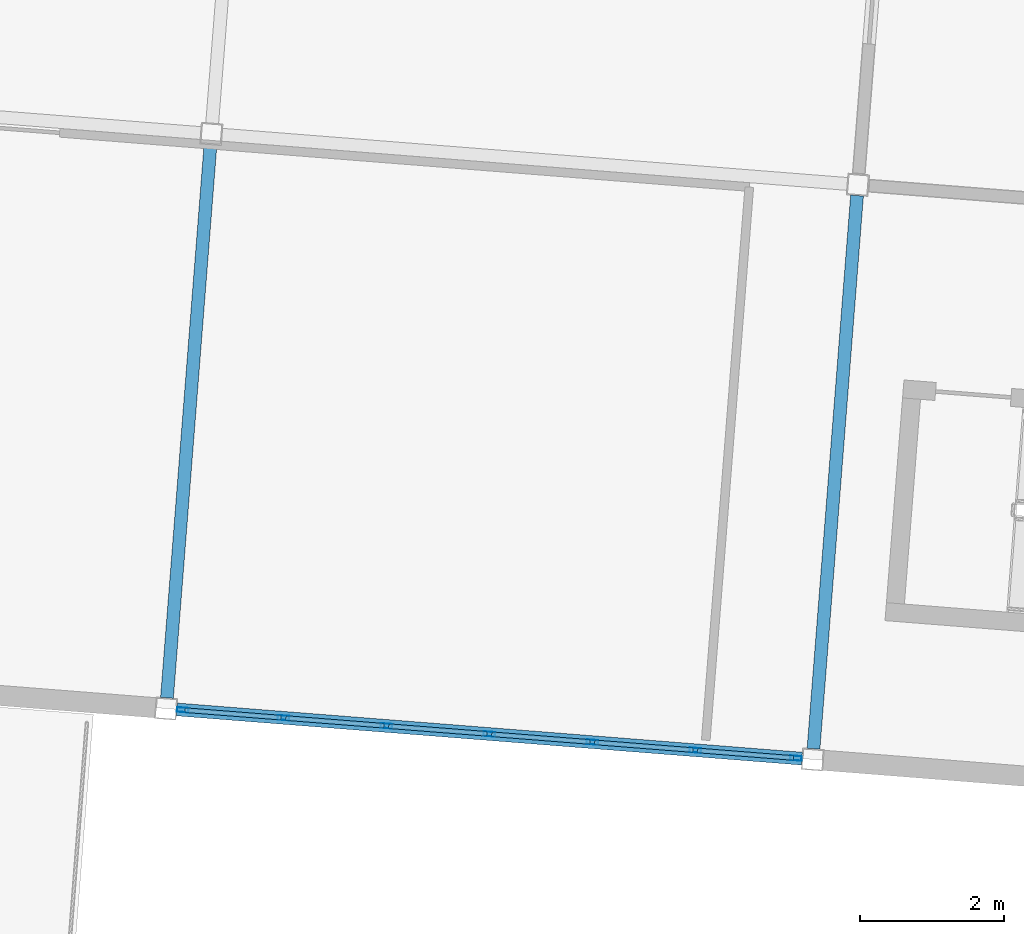
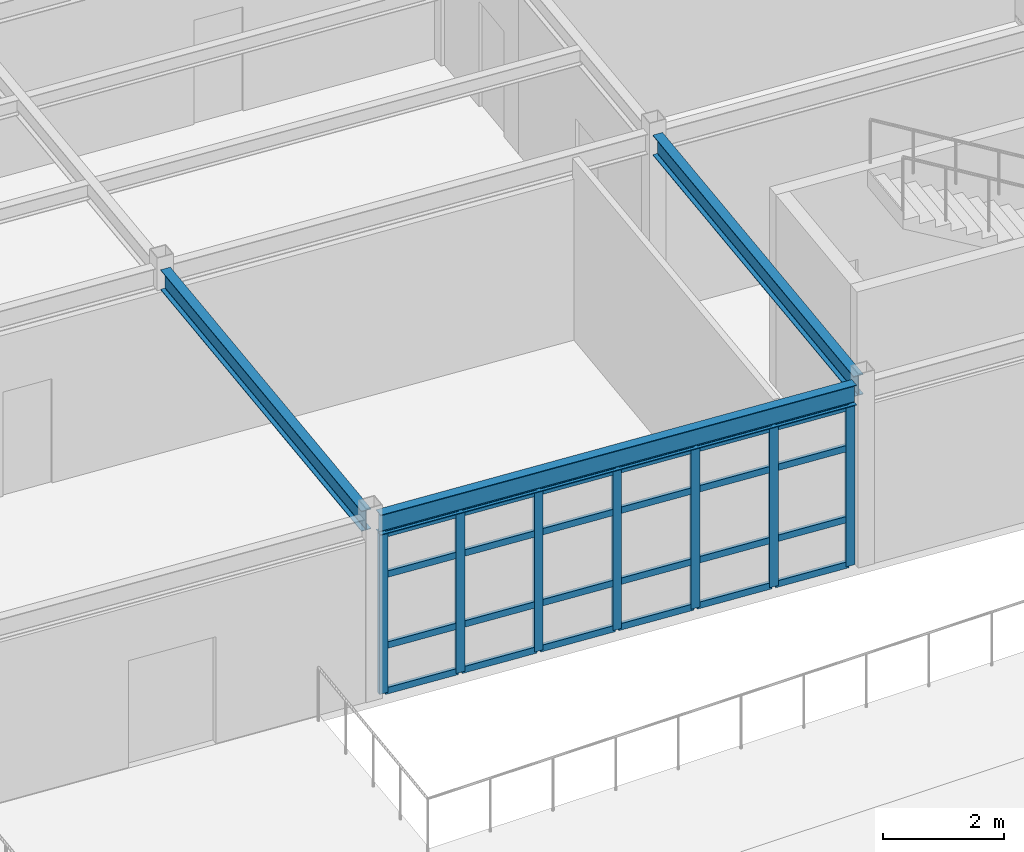
# One storey, part 45 of 150: 31 members, 3 beams, 1 element without a shape of its own.
"""IFC4 building model written with IfcOpenShell, lengths in metres."""

from ifc_helpers import new_model, si_unit, direction, frame, origin, origin_2d, place, context, subcontext, project, spatial, hollow_rectangle, i_section, extrude, material, material_profile, profile_set, type_object, element, aggregate, save


model = new_model("IFC4")

# Units and contexts
model_context = context("Model", 3, precision=1e-05, world=origin(), true_north=direction((0.0, 1.0)))
body_context = subcontext(model_context, "Body", "Model", "MODEL_VIEW")
ifc_project = project(units=[si_unit("LENGTHUNIT", "METRE"), si_unit("AREAUNIT", "SQUARE_METRE"), si_unit("VOLUMEUNIT", "CUBIC_METRE"), si_unit("PLANEANGLEUNIT", "RADIAN"), si_unit("MASSUNIT", "GRAM", prefix="KILO")], contexts=[model_context])

# Site, building, storey
site_placement = place(None, origin())
site = spatial("IfcSite", under=ifc_project, at=site_placement, CompositionType="ELEMENT")
building_placement = place(site_placement, origin())
building = spatial("IfcBuilding", under=site, at=building_placement, Name="Kestramere Prow Commons", CompositionType="ELEMENT")
storey_placement = place(building_placement, frame((0.0, 0.0, 4.5)))
storey = spatial("IfcBuildingStorey", under=building, at=storey_placement, Name="L01", CompositionType="ELEMENT", Elevation=4.5)

# Beams
ifc_material_1 = material(Name="Steel S355JR", Category="steel")
ifc_material_profile_1 = material_profile(ifc_material_1, i_section(OverallWidth=0.177978515625, OverallDepth=0.406494140625, WebThickness=0.0078125, FlangeThickness=0.0126953125, FilletRadius=0.01025390625, at=origin_2d()), Name="UB 406x178x60")
ifc_profile_set_1 = profile_set([ifc_material_profile_1], Name="Steel S355JR")
beam_type_1 = type_object("IfcBeamType", Name="BM-NR-01 UB 406x178x60", PredefinedType="BEAM", material=ifc_profile_set_1)
for number, where, z_axis, x_axis, name in (
    (1, (86.556396484375, 84.2373046875, 3.44677734375), (0.078442108986, 0.996918670473, 0.0), (-0.996918670473, 0.078442108986, 0.0), "Nursery L01 Beam V 3-1"),
    (2, (95.528564453125, 83.53125, 3.44677734375), (0.078442108986, 0.996918670473, 0.0), (-0.996918670473, 0.078442108986, 0.0), "Nursery L01 Beam V 4-1"),
):
    element("IfcBeam", number, at=place(storey_placement, frame(where, z_axis=z_axis, x_axis=x_axis)), inside=storey, type_object=beam_type_1, Name=name, PredefinedType="BEAM", context=body_context, shape_type="SweptSolid", body=[
        extrude(i_section(OverallWidth=0.177978515625, OverallDepth=0.406494140625, WebThickness=0.0078125, FlangeThickness=0.0126953125, FilletRadius=0.01025390625, at=origin_2d()), origin(), (0.0, 0.0, 1.0), 7.699951171875),
    ])
ifc_material_profile_2 = material_profile(ifc_material_1, i_section(OverallWidth=0.177978515625, OverallDepth=0.406494140625, WebThickness=0.0078125, FlangeThickness=0.0126953125, FilletRadius=0.01025390625, at=origin_2d()), Name="UB 406x178x60")
ifc_profile_set_2 = profile_set([ifc_material_profile_2], Name="Steel S355JR")
beam_type_2 = type_object("IfcBeamType", Name="BM-NR-01 UB 406x178x60 (EX)", PredefinedType="BEAM", material=ifc_profile_set_2)
beam_placement = place(storey_placement, frame((86.694091796875, 84.075927734375, 3.44677734375), z_axis=(0.996917066238, -0.078462494502, 0.0), x_axis=(0.078462494502, 0.996917066238, 0.0)))
element("IfcBeam", 3, at=beam_placement, inside=storey, type_object=beam_type_2, Name="Nursery L01 Beam U 1-3", PredefinedType="BEAM", context=body_context, shape_type="SweptSolid", body=[
    extrude(i_section(OverallWidth=0.177978515625, OverallDepth=0.406494140625, WebThickness=0.0078125, FlangeThickness=0.0126953125, FilletRadius=0.01025390625, at=origin_2d()), origin(), (0.0, 0.0, 1.0), 8.699951171875),
])

# Curtain wall, members
ifc_material_2 = material(Name="Anodised Aluminium and Low-E Glass", Category="aluminium")
curtain_wall_type = type_object("IfcCurtainWallType", Name="CW-15 Glazed Curtain Wall 8600x3230", PredefinedType="USERDEFINED", material=ifc_material_2)
curtain_wall_placement = place(storey_placement, origin())
curtain_wall = element("IfcCurtainWall", 4, at=curtain_wall_placement, inside=storey, type_object=curtain_wall_type, Name="Nursery L01 South Classroom Glazing 3", ObjectType="GLAZED CURTAIN WALL", PredefinedType="USERDEFINED")
ifc_material_3 = material(Name="Anodised Aluminium 6063-T6", Category="aluminium")
ifc_material_profile_3 = material_profile(ifc_material_3, hollow_rectangle(XDim=0.06494140625, YDim=0.159912109375, WallThickness=0.00390625, at=origin_2d()), Name="ALU-MUL 65x160")
ifc_profile_set_3 = profile_set([ifc_material_profile_3], Name="Anodised Aluminium 6063-T6")
member_type_1 = type_object("IfcMemberType", Name="CW-MUL-65x160", PredefinedType="MULLION", material=ifc_profile_set_3)
member_1_placement = place(storey_placement, frame((95.284912109375, 83.39990234375, 0.0), z_axis=(0.0, 0.0, 1.0), x_axis=(-0.078459061468, -0.996917336429, 0.0)))
member_1 = element("IfcMember", 5, at=member_1_placement, type_object=member_type_1, Name="CW-15 mullion 1", PredefinedType="MULLION", context=body_context, shape_type="SweptSolid", body=[
    extrude(hollow_rectangle(XDim=0.06494140625, YDim=0.159912109375, WallThickness=0.00390625, at=origin_2d()), origin(), (0.0, 0.0, 1.0), 3.22998046875),
])
member_2_placement = place(storey_placement, frame((93.888427734375, 83.509765625, 0.0), z_axis=(0.0, 0.0, 1.0), x_axis=(-0.078459061468, -0.996917336429, 0.0)))
member_2 = element("IfcMember", 6, at=member_2_placement, type_object=member_type_1, Name="CW-15 mullion 2", PredefinedType="MULLION", context=body_context, shape_type="SweptSolid", body=[
    extrude(hollow_rectangle(XDim=0.06494140625, YDim=0.159912109375, WallThickness=0.00390625, at=origin_2d()), origin(), (0.0, 0.0, 1.0), 3.22998046875),
])
member_3_placement = place(storey_placement, frame((92.45947265625, 83.622314453125, 0.0), z_axis=(0.0, 0.0, 1.0), x_axis=(-0.078459061468, -0.996917336429, 0.0)))
member_3 = element("IfcMember", 7, at=member_3_placement, type_object=member_type_1, Name="CW-15 mullion 3", PredefinedType="MULLION", context=body_context, shape_type="SweptSolid", body=[
    extrude(hollow_rectangle(XDim=0.06494140625, YDim=0.159912109375, WallThickness=0.00390625, at=origin_2d()), origin(), (0.0, 0.0, 1.0), 3.22998046875),
])
member_4_placement = place(storey_placement, frame((91.03076171875, 83.734619140625, 0.0), z_axis=(0.0, 0.0, 1.0), x_axis=(-0.078459061468, -0.996917336429, 0.0)))
member_4 = element("IfcMember", 8, at=member_4_placement, type_object=member_type_1, Name="CW-15 mullion 4", PredefinedType="MULLION", context=body_context, shape_type="SweptSolid", body=[
    extrude(hollow_rectangle(XDim=0.06494140625, YDim=0.159912109375, WallThickness=0.00390625, at=origin_2d()), origin(), (0.0, 0.0, 1.0), 3.22998046875),
])
member_5_placement = place(storey_placement, frame((89.601806640625, 83.84716796875, 0.0), z_axis=(0.0, 0.0, 1.0), x_axis=(-0.078459061468, -0.996917336429, 0.0)))
member_5 = element("IfcMember", 9, at=member_5_placement, type_object=member_type_1, Name="CW-15 mullion 5", PredefinedType="MULLION", context=body_context, shape_type="SweptSolid", body=[
    extrude(hollow_rectangle(XDim=0.06494140625, YDim=0.159912109375, WallThickness=0.00390625, at=origin_2d()), origin(), (0.0, 0.0, 1.0), 3.22998046875),
])
member_6_placement = place(storey_placement, frame((88.1728515625, 83.95947265625, 0.0), z_axis=(0.0, 0.0, 1.0), x_axis=(-0.078459061468, -0.996917336429, 0.0)))
member_6 = element("IfcMember", 10, at=member_6_placement, type_object=member_type_1, Name="CW-15 mullion 6", PredefinedType="MULLION", context=body_context, shape_type="SweptSolid", body=[
    extrude(hollow_rectangle(XDim=0.06494140625, YDim=0.159912109375, WallThickness=0.00390625, at=origin_2d()), origin(), (0.0, 0.0, 1.0), 3.22998046875),
])
member_7_placement = place(storey_placement, frame((86.7763671875, 84.069580078125, 0.0), z_axis=(0.0, 0.0, 1.0), x_axis=(-0.078459061468, -0.996917336429, 0.0)))
member_7 = element("IfcMember", 11, at=member_7_placement, type_object=member_type_1, Name="CW-15 mullion 7", PredefinedType="MULLION", context=body_context, shape_type="SweptSolid", body=[
    extrude(hollow_rectangle(XDim=0.06494140625, YDim=0.159912109375, WallThickness=0.00390625, at=origin_2d()), origin(), (0.0, 0.0, 1.0), 3.22998046875),
])
ifc_material_profile_4 = material_profile(ifc_material_3, hollow_rectangle(XDim=0.06494140625, YDim=0.1298828125, WallThickness=0.00390625, at=origin_2d()), Name="ALU-TRN 65x130")
ifc_profile_set_4 = profile_set([ifc_material_profile_4], Name="Anodised Aluminium 6063-T6")
member_type_2 = type_object("IfcMemberType", Name="CW-TRN-65x130", PredefinedType="USERDEFINED", material=ifc_profile_set_4)
member_8_placement = place(storey_placement, frame((95.252685546875, 83.40234375, 0.032470703125), z_axis=(-0.996907574622, 0.078582998549, 0.0), x_axis=(-0.078582998549, -0.996907574622, 0.0)))
member_8 = element("IfcMember", 12, at=member_8_placement, type_object=member_type_2, Name="CW-15 transom 1.1", ObjectType="TRANSOM", PredefinedType="USERDEFINED", context=body_context, shape_type="SweptSolid", body=[
    extrude(hollow_rectangle(XDim=0.06494140625, YDim=0.1298828125, WallThickness=0.00390625, at=origin_2d()), origin(), (0.0, 0.0, 1.0), 1.3359375),
])
member_9_placement = place(storey_placement, frame((95.252685546875, 83.40234375, 0.949951171875), z_axis=(-0.996907574622, 0.078582998549, 0.0), x_axis=(-0.078582998549, -0.996907574622, 0.0)))
member_9 = element("IfcMember", 13, at=member_9_placement, type_object=member_type_2, Name="CW-15 transom 1.2", ObjectType="TRANSOM", PredefinedType="USERDEFINED", context=body_context, shape_type="SweptSolid", body=[
    extrude(hollow_rectangle(XDim=0.06494140625, YDim=0.1298828125, WallThickness=0.00390625, at=origin_2d()), origin(), (0.0, 0.0, 1.0), 1.3359375),
])
member_10_placement = place(storey_placement, frame((95.252685546875, 83.40234375, 2.3798828125), z_axis=(-0.996907574622, 0.078582998549, 0.0), x_axis=(-0.078582998549, -0.996907574622, 0.0)))
member_10 = element("IfcMember", 14, at=member_10_placement, type_object=member_type_2, Name="CW-15 transom 1.3", ObjectType="TRANSOM", PredefinedType="USERDEFINED", context=body_context, shape_type="SweptSolid", body=[
    extrude(hollow_rectangle(XDim=0.06494140625, YDim=0.1298828125, WallThickness=0.00390625, at=origin_2d()), origin(), (0.0, 0.0, 1.0), 1.3359375),
])
member_11_placement = place(storey_placement, frame((95.252685546875, 83.40234375, 3.197509765625), z_axis=(-0.996907574622, 0.078582998549, 0.0), x_axis=(-0.078582998549, -0.996907574622, 0.0)))
member_11 = element("IfcMember", 15, at=member_11_placement, type_object=member_type_2, Name="CW-15 transom 1.4", ObjectType="TRANSOM", PredefinedType="USERDEFINED", context=body_context, shape_type="SweptSolid", body=[
    extrude(hollow_rectangle(XDim=0.06494140625, YDim=0.1298828125, WallThickness=0.00390625, at=origin_2d()), origin(), (0.0, 0.0, 1.0), 1.3359375),
])
member_12_placement = place(storey_placement, frame((93.85595703125, 83.51220703125, 0.032470703125), z_axis=(-0.996913235205, 0.07851115509, 0.0), x_axis=(-0.07851115509, -0.996913235205, 0.0)))
member_12 = element("IfcMember", 16, at=member_12_placement, type_object=member_type_2, Name="CW-15 transom 2.1", ObjectType="TRANSOM", PredefinedType="USERDEFINED", context=body_context, shape_type="SweptSolid", body=[
    extrude(hollow_rectangle(XDim=0.06494140625, YDim=0.1298828125, WallThickness=0.00390625, at=origin_2d()), origin(), (0.0, 0.0, 1.0), 1.3681640625),
])
member_13_placement = place(storey_placement, frame((93.85595703125, 83.51220703125, 0.949951171875), z_axis=(-0.996913235205, 0.07851115509, 0.0), x_axis=(-0.07851115509, -0.996913235205, 0.0)))
member_13 = element("IfcMember", 17, at=member_13_placement, type_object=member_type_2, Name="CW-15 transom 2.2", ObjectType="TRANSOM", PredefinedType="USERDEFINED", context=body_context, shape_type="SweptSolid", body=[
    extrude(hollow_rectangle(XDim=0.06494140625, YDim=0.1298828125, WallThickness=0.00390625, at=origin_2d()), origin(), (0.0, 0.0, 1.0), 1.3681640625),
])
member_14_placement = place(storey_placement, frame((93.85595703125, 83.51220703125, 2.3798828125), z_axis=(-0.996913235205, 0.07851115509, 0.0), x_axis=(-0.07851115509, -0.996913235205, 0.0)))
member_14 = element("IfcMember", 18, at=member_14_placement, type_object=member_type_2, Name="CW-15 transom 2.3", ObjectType="TRANSOM", PredefinedType="USERDEFINED", context=body_context, shape_type="SweptSolid", body=[
    extrude(hollow_rectangle(XDim=0.06494140625, YDim=0.1298828125, WallThickness=0.00390625, at=origin_2d()), origin(), (0.0, 0.0, 1.0), 1.3681640625),
])
member_15_placement = place(storey_placement, frame((93.85595703125, 83.51220703125, 3.197509765625), z_axis=(-0.996913235205, 0.07851115509, 0.0), x_axis=(-0.07851115509, -0.996913235205, 0.0)))
member_15 = element("IfcMember", 19, at=member_15_placement, type_object=member_type_2, Name="CW-15 transom 2.4", ObjectType="TRANSOM", PredefinedType="USERDEFINED", context=body_context, shape_type="SweptSolid", body=[
    extrude(hollow_rectangle(XDim=0.06494140625, YDim=0.1298828125, WallThickness=0.00390625, at=origin_2d()), origin(), (0.0, 0.0, 1.0), 1.3681640625),
])
member_16_placement = place(storey_placement, frame((92.42724609375, 83.624755859375, 0.032470703125), z_axis=(-0.996914334782, 0.078497191715, 0.0), x_axis=(-0.078497191715, -0.996914334782, 0.0)))
member_16 = element("IfcMember", 20, at=member_16_placement, type_object=member_type_2, Name="CW-15 transom 3.1", ObjectType="TRANSOM", PredefinedType="USERDEFINED", context=body_context, shape_type="SweptSolid", body=[
    extrude(hollow_rectangle(XDim=0.06494140625, YDim=0.1298828125, WallThickness=0.00390625, at=origin_2d()), origin(), (0.0, 0.0, 1.0), 1.368408203125),
])
member_17_placement = place(storey_placement, frame((92.42724609375, 83.624755859375, 0.949951171875), z_axis=(-0.996914334782, 0.078497191715, 0.0), x_axis=(-0.078497191715, -0.996914334782, 0.0)))
member_17 = element("IfcMember", 21, at=member_17_placement, type_object=member_type_2, Name="CW-15 transom 3.2", ObjectType="TRANSOM", PredefinedType="USERDEFINED", context=body_context, shape_type="SweptSolid", body=[
    extrude(hollow_rectangle(XDim=0.06494140625, YDim=0.1298828125, WallThickness=0.00390625, at=origin_2d()), origin(), (0.0, 0.0, 1.0), 1.368408203125),
])
member_18_placement = place(storey_placement, frame((92.42724609375, 83.624755859375, 2.3798828125), z_axis=(-0.996914334782, 0.078497191715, 0.0), x_axis=(-0.078497191715, -0.996914334782, 0.0)))
member_18 = element("IfcMember", 22, at=member_18_placement, type_object=member_type_2, Name="CW-15 transom 3.3", ObjectType="TRANSOM", PredefinedType="USERDEFINED", context=body_context, shape_type="SweptSolid", body=[
    extrude(hollow_rectangle(XDim=0.06494140625, YDim=0.1298828125, WallThickness=0.00390625, at=origin_2d()), origin(), (0.0, 0.0, 1.0), 1.368408203125),
])
member_19_placement = place(storey_placement, frame((92.42724609375, 83.624755859375, 3.197509765625), z_axis=(-0.996914334782, 0.078497191715, 0.0), x_axis=(-0.078497191715, -0.996914334782, 0.0)))
member_19 = element("IfcMember", 23, at=member_19_placement, type_object=member_type_2, Name="CW-15 transom 3.4", ObjectType="TRANSOM", PredefinedType="USERDEFINED", context=body_context, shape_type="SweptSolid", body=[
    extrude(hollow_rectangle(XDim=0.06494140625, YDim=0.1298828125, WallThickness=0.00390625, at=origin_2d()), origin(), (0.0, 0.0, 1.0), 1.368408203125),
])
member_20_placement = place(storey_placement, frame((90.998291015625, 83.7373046875, 0.032470703125), z_axis=(-0.996928280109, 0.078319884568, 0.0), x_axis=(-0.078319884568, -0.996928280109, 0.0)))
member_20 = element("IfcMember", 24, at=member_20_placement, type_object=member_type_2, Name="CW-15 transom 4.1", ObjectType="TRANSOM", PredefinedType="USERDEFINED", context=body_context, shape_type="SweptSolid", body=[
    extrude(hollow_rectangle(XDim=0.06494140625, YDim=0.1298828125, WallThickness=0.00390625, at=origin_2d()), origin(), (0.0, 0.0, 1.0), 1.368408203125),
])
member_21_placement = place(storey_placement, frame((90.998291015625, 83.7373046875, 0.949951171875), z_axis=(-0.996928280109, 0.078319884568, 0.0), x_axis=(-0.078319884568, -0.996928280109, 0.0)))
member_21 = element("IfcMember", 25, at=member_21_placement, type_object=member_type_2, Name="CW-15 transom 4.2", ObjectType="TRANSOM", PredefinedType="USERDEFINED", context=body_context, shape_type="SweptSolid", body=[
    extrude(hollow_rectangle(XDim=0.06494140625, YDim=0.1298828125, WallThickness=0.00390625, at=origin_2d()), origin(), (0.0, 0.0, 1.0), 1.368408203125),
])
member_22_placement = place(storey_placement, frame((90.998291015625, 83.7373046875, 2.3798828125), z_axis=(-0.996928280109, 0.078319884568, 0.0), x_axis=(-0.078319884568, -0.996928280109, 0.0)))
member_22 = element("IfcMember", 26, at=member_22_placement, type_object=member_type_2, Name="CW-15 transom 4.3", ObjectType="TRANSOM", PredefinedType="USERDEFINED", context=body_context, shape_type="SweptSolid", body=[
    extrude(hollow_rectangle(XDim=0.06494140625, YDim=0.1298828125, WallThickness=0.00390625, at=origin_2d()), origin(), (0.0, 0.0, 1.0), 1.368408203125),
])
member_23_placement = place(storey_placement, frame((90.998291015625, 83.7373046875, 3.197509765625), z_axis=(-0.996928280109, 0.078319884568, 0.0), x_axis=(-0.078319884568, -0.996928280109, 0.0)))
member_23 = element("IfcMember", 27, at=member_23_placement, type_object=member_type_2, Name="CW-15 transom 4.4", ObjectType="TRANSOM", PredefinedType="USERDEFINED", context=body_context, shape_type="SweptSolid", body=[
    extrude(hollow_rectangle(XDim=0.06494140625, YDim=0.1298828125, WallThickness=0.00390625, at=origin_2d()), origin(), (0.0, 0.0, 1.0), 1.368408203125),
])
member_24_placement = place(storey_placement, frame((89.5693359375, 83.849609375, 0.032470703125), z_axis=(-0.996913235205, 0.07851115509, 0.0), x_axis=(-0.07851115509, -0.996913235205, 0.0)))
member_24 = element("IfcMember", 28, at=member_24_placement, type_object=member_type_2, Name="CW-15 transom 5.1", ObjectType="TRANSOM", PredefinedType="USERDEFINED", context=body_context, shape_type="SweptSolid", body=[
    extrude(hollow_rectangle(XDim=0.06494140625, YDim=0.1298828125, WallThickness=0.00390625, at=origin_2d()), origin(), (0.0, 0.0, 1.0), 1.3681640625),
])
member_25_placement = place(storey_placement, frame((89.5693359375, 83.849609375, 0.949951171875), z_axis=(-0.996913235205, 0.07851115509, 0.0), x_axis=(-0.07851115509, -0.996913235205, 0.0)))
member_25 = element("IfcMember", 29, at=member_25_placement, type_object=member_type_2, Name="CW-15 transom 5.2", ObjectType="TRANSOM", PredefinedType="USERDEFINED", context=body_context, shape_type="SweptSolid", body=[
    extrude(hollow_rectangle(XDim=0.06494140625, YDim=0.1298828125, WallThickness=0.00390625, at=origin_2d()), origin(), (0.0, 0.0, 1.0), 1.3681640625),
])
member_26_placement = place(storey_placement, frame((89.5693359375, 83.849609375, 2.3798828125), z_axis=(-0.996913235205, 0.07851115509, 0.0), x_axis=(-0.07851115509, -0.996913235205, 0.0)))
member_26 = element("IfcMember", 30, at=member_26_placement, type_object=member_type_2, Name="CW-15 transom 5.3", ObjectType="TRANSOM", PredefinedType="USERDEFINED", context=body_context, shape_type="SweptSolid", body=[
    extrude(hollow_rectangle(XDim=0.06494140625, YDim=0.1298828125, WallThickness=0.00390625, at=origin_2d()), origin(), (0.0, 0.0, 1.0), 1.3681640625),
])
member_27_placement = place(storey_placement, frame((89.5693359375, 83.849609375, 3.197509765625), z_axis=(-0.996913235205, 0.07851115509, 0.0), x_axis=(-0.07851115509, -0.996913235205, 0.0)))
member_27 = element("IfcMember", 31, at=member_27_placement, type_object=member_type_2, Name="CW-15 transom 5.4", ObjectType="TRANSOM", PredefinedType="USERDEFINED", context=body_context, shape_type="SweptSolid", body=[
    extrude(hollow_rectangle(XDim=0.06494140625, YDim=0.1298828125, WallThickness=0.00390625, at=origin_2d()), origin(), (0.0, 0.0, 1.0), 1.3681640625),
])
member_28_placement = place(storey_placement, frame((88.140380859375, 83.962158203125, 0.032470703125), z_axis=(-0.996921875006, 0.078401372022, 0.0), x_axis=(-0.078401372022, -0.996921875006, 0.0)))
member_28 = element("IfcMember", 32, at=member_28_placement, type_object=member_type_2, Name="CW-15 transom 6.1", ObjectType="TRANSOM", PredefinedType="USERDEFINED", context=body_context, shape_type="SweptSolid", body=[
    extrude(hollow_rectangle(XDim=0.06494140625, YDim=0.1298828125, WallThickness=0.00390625, at=origin_2d()), origin(), (0.0, 0.0, 1.0), 1.3359375),
])
member_29_placement = place(storey_placement, frame((88.140380859375, 83.962158203125, 0.949951171875), z_axis=(-0.996921875006, 0.078401372022, 0.0), x_axis=(-0.078401372022, -0.996921875006, 0.0)))
member_29 = element("IfcMember", 33, at=member_29_placement, type_object=member_type_2, Name="CW-15 transom 6.2", ObjectType="TRANSOM", PredefinedType="USERDEFINED", context=body_context, shape_type="SweptSolid", body=[
    extrude(hollow_rectangle(XDim=0.06494140625, YDim=0.1298828125, WallThickness=0.00390625, at=origin_2d()), origin(), (0.0, 0.0, 1.0), 1.3359375),
])
member_30_placement = place(storey_placement, frame((88.140380859375, 83.962158203125, 2.3798828125), z_axis=(-0.996921875006, 0.078401372022, 0.0), x_axis=(-0.078401372022, -0.996921875006, 0.0)))
member_30 = element("IfcMember", 34, at=member_30_placement, type_object=member_type_2, Name="CW-15 transom 6.3", ObjectType="TRANSOM", PredefinedType="USERDEFINED", context=body_context, shape_type="SweptSolid", body=[
    extrude(hollow_rectangle(XDim=0.06494140625, YDim=0.1298828125, WallThickness=0.00390625, at=origin_2d()), origin(), (0.0, 0.0, 1.0), 1.3359375),
])
member_31_placement = place(storey_placement, frame((88.140380859375, 83.962158203125, 3.197509765625), z_axis=(-0.996921875006, 0.078401372022, 0.0), x_axis=(-0.078401372022, -0.996921875006, 0.0)))
member_31 = element("IfcMember", 35, at=member_31_placement, type_object=member_type_2, Name="CW-15 transom 6.4", ObjectType="TRANSOM", PredefinedType="USERDEFINED", context=body_context, shape_type="SweptSolid", body=[
    extrude(hollow_rectangle(XDim=0.06494140625, YDim=0.1298828125, WallThickness=0.00390625, at=origin_2d()), origin(), (0.0, 0.0, 1.0), 1.3359375),
])
aggregate(curtain_wall, [member_1, member_2, member_3, member_4, member_5, member_6, member_7, member_8, member_9, member_10, member_11, member_12, member_13, member_14, member_15, member_16, member_17, member_18, member_19, member_20, member_21, member_22, member_23, member_24, member_25, member_26, member_27, member_28, member_29, member_30, member_31])

save(model, "model.ifc")
